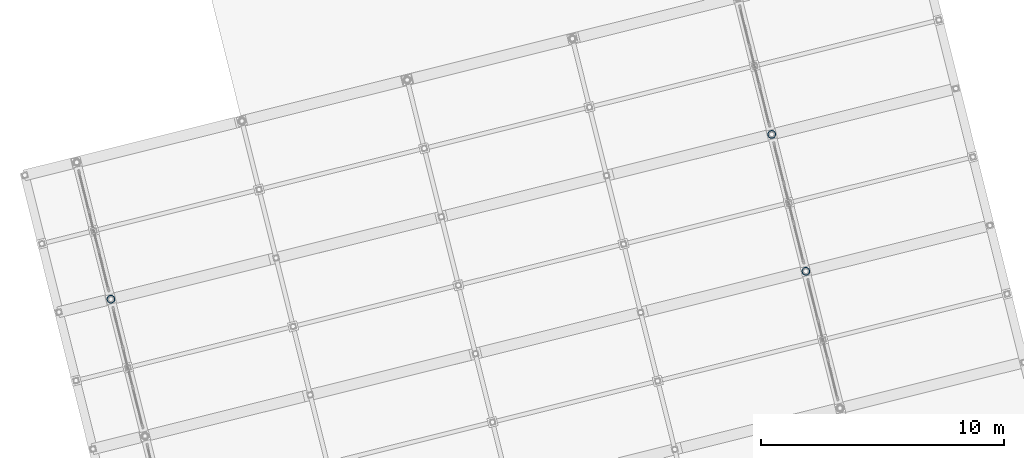
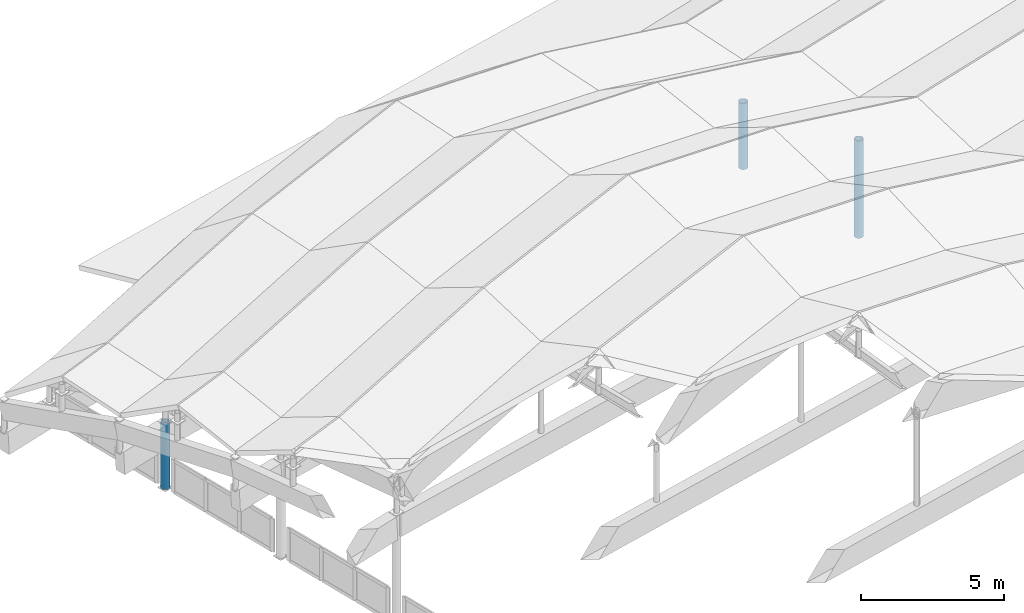
# One storey, part 2 of 65: 3 columns.
"""IFC4 building model written with IfcOpenShell, lengths in metres."""

from ifc_helpers import new_model, si_unit, direction, frame, origin, origin_2d, place, context, subcontext, project, spatial, hollow_circle, extrude, material, material_profile, profile_set, type_object, element, save


model = new_model("IFC4")

# Units and contexts
model_context = context("Model", 3, precision=1e-05, world=origin(), true_north=direction((0.0, 1.0)))
body_context = subcontext(model_context, "Body", "Model", "MODEL_VIEW")
ifc_project = project(units=[si_unit("LENGTHUNIT", "METRE"), si_unit("AREAUNIT", "SQUARE_METRE"), si_unit("VOLUMEUNIT", "CUBIC_METRE"), si_unit("PLANEANGLEUNIT", "RADIAN"), si_unit("MASSUNIT", "GRAM", prefix="KILO")], contexts=[model_context])

# Site, building, storey
site_placement = place(None, origin())
site = spatial("IfcSite", under=ifc_project, at=site_placement, CompositionType="ELEMENT")
building_placement = place(site_placement, origin())
building = spatial("IfcBuilding", under=site, at=building_placement, Name="Cinderway Yard Community Centre", CompositionType="ELEMENT")
storey_placement = place(building_placement, frame((0.0, 0.0, 24.300048828125)))
storey = spatial("IfcBuildingStorey", under=building, at=storey_placement, Name="RF", CompositionType="ELEMENT", Elevation=24.300048828125)

# Columns
ifc_material = material(Name="Steel S355", Category="steel")
ifc_material_profile = material_profile(ifc_material, hollow_circle(Radius=0.161865234375, WallThickness=0.01611328125, at=origin_2d()), Name="Steel S355")
ifc_profile_set = profile_set([ifc_material_profile], Name="Steel S355")
column_type = type_object("IfcColumnType", Name="STR-POST-CHS324", PredefinedType="PILASTER", material=ifc_profile_set)
column_placement = place(storey_placement, frame((39.9619140625, 60.029052734375, -11.400146484375), z_axis=(0.0, 0.0, 1.0), x_axis=(1.0, 0.0, 0.0)))
element("IfcColumn", 1, at=column_placement, inside=storey, type_object=column_type, Name="Main Hall perimeter post E06", PredefinedType="PILASTER", context=body_context, shape_type="SweptSolid", body=[
    extrude(hollow_circle(Radius=0.161865234375, WallThickness=0.01611328125, at=origin_2d()), origin(), (0.0, 0.0, 1.0), 4.14306640625),
])
for number, where, z_axis, x_axis, name in (
    (2, (11.39111328125, 58.883056640625, -11.400146484375), (0.0, 0.0, 1.0), (1.0, 0.0, 0.0), "Main Hall perimeter post W07"),
    (3, (38.55908203125, 65.656982421875, -11.400146484375), (0.0, 0.0, 1.0), (1.0, 0.0, 0.0), "Main Hall perimeter post E07"),
):
    element("IfcColumn", number, at=place(storey_placement, frame(where, z_axis=z_axis, x_axis=x_axis)), inside=storey, type_object=column_type, Name=name, PredefinedType="PILASTER", context=body_context, shape_type="SweptSolid", body=[
        extrude(hollow_circle(Radius=0.161865234375, WallThickness=0.01611328125, at=origin_2d()), origin(), (0.0, 0.0, 1.0), 2.814208984375),
    ])

save(model, "model.ifc")
